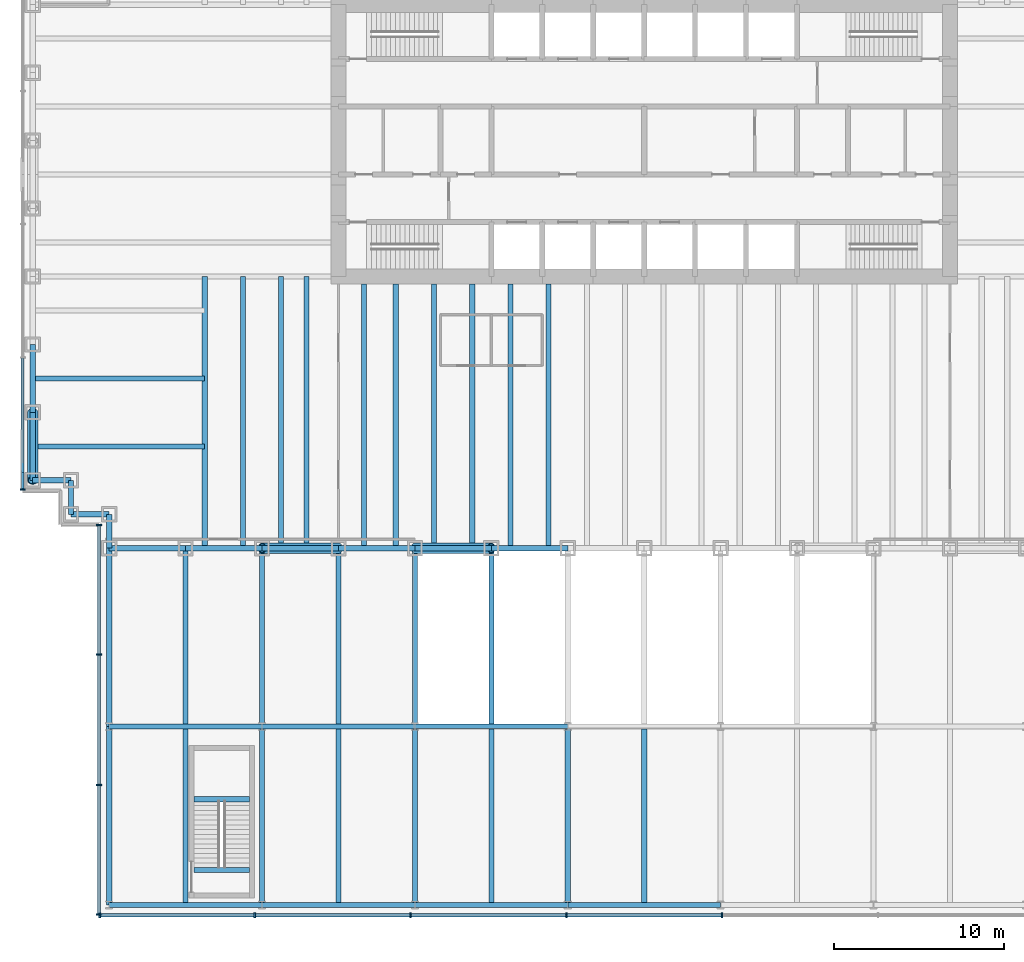
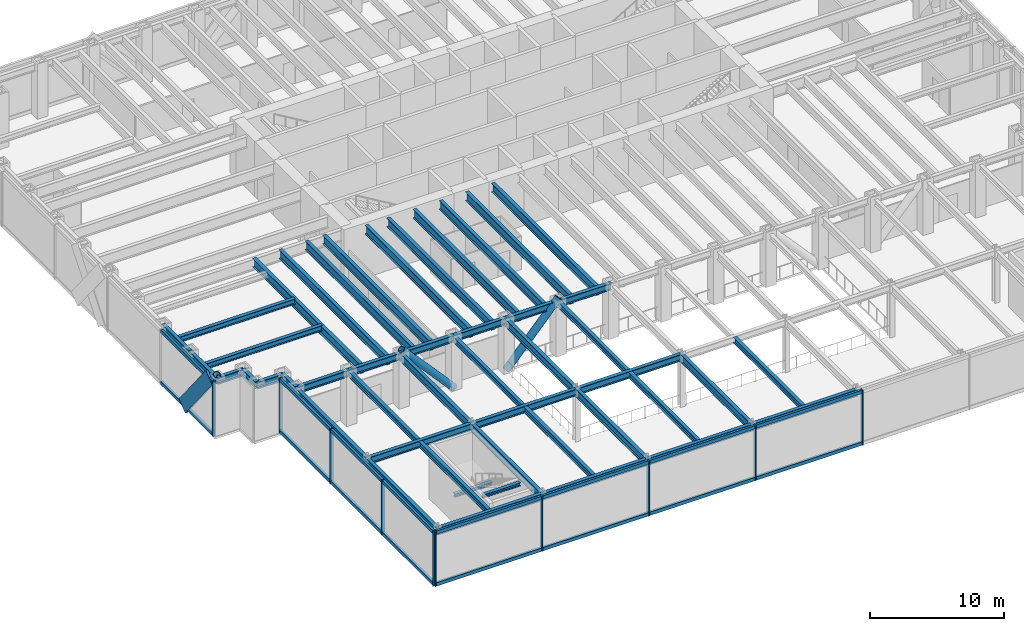
# One storey, part 3 of 17: 47 beams, 30 members, 3 elements without a shape of their own.
"""IFC4 building model written with IfcOpenShell, lengths in metres."""

import ifcopenshell
import ifcopenshell.guid

model = None  # the IFC model being written
_history = None  # IfcOwnerHistory: only IFC2X3 demands one
_inside = {}  # id of a spatial element -> (the spatial element, [elements in it])
_under = {}  # id of a project, library or spatial element -> (it, [spatial elements below it])
_declared = {}  # id of a project -> (the project, [libraries it declares])
_typed = {}  # id of a type object -> (the type object, [elements of that type])
_made_of = {}  # id of a material, layer set ... -> (it, [elements and type objects made of it])


def new_model(schema):
    """Start an empty IFC model of exactly this schema.

    Asked for "IFC4X3", IfcOpenShell would pick the latest addendum, in which some entities
    have other attributes; the version numbers below select the first issue.
    IFC2X3 requires an IfcOwnerHistory on every rooted entity: one is made here for all.
    """
    global model, _history
    if schema == "IFC4X3":
        model = ifcopenshell.file(schema_version=(4, 3, 0, 0))
    else:
        model = ifcopenshell.file(schema=schema)
    _inside.clear()
    _under.clear()
    _declared.clear()
    _typed.clear()
    _made_of.clear()
    _history = None
    if model.schema == "IFC2X3":
        org = make("IfcOrganization", Name="unknown")
        user = make(
            "IfcPersonAndOrganization",
            ThePerson=make("IfcPerson", FamilyName="unknown"),
            TheOrganization=org,
        )
        app = make(
            "IfcApplication",
            ApplicationDeveloper=org,
            Version="unknown",
            ApplicationFullName="unknown",
            ApplicationIdentifier="unknown",
        )
        _history = make(
            "IfcOwnerHistory",
            OwningUser=user,
            OwningApplication=app,
            ChangeAction="ADDED",
            CreationDate=0,
        )
    return model


def make(cls, **values):
    """One entity of the class cls with the attributes given. An attribute that is None is left unset."""
    return model.create_entity(
        cls, **{name: value for name, value in values.items() if value is not None}
    )


def rooted(cls, **values):
    """An entity with a GlobalId (a new one), such as an element, a storey or a relation."""
    return make(cls, GlobalId=ifcopenshell.guid.new(), OwnerHistory=_history, **values)


def si_unit(unit_type, name, prefix=None):
    """IfcSIUnit, for example si_unit("LENGTHUNIT", "METRE", prefix="MILLI")."""
    return make("IfcSIUnit", UnitType=unit_type, Prefix=prefix, Name=name)


def assignment(units):
    """IfcUnitAssignment: the units of a project."""
    return None if units is None else make("IfcUnitAssignment", Units=units)


def point(xyz):
    """IfcCartesianPoint."""
    return None if xyz is None else make("IfcCartesianPoint", Coordinates=xyz)


def direction(xyz):
    """IfcDirection."""
    return None if xyz is None else make("IfcDirection", DirectionRatios=xyz)


def frame(location, z_axis=None, x_axis=None):
    """IfcAxis2Placement3D, a coordinate frame: its origin and axes. An axis left out is left unset."""
    return make(
        "IfcAxis2Placement3D",
        Location=point(location),
        Axis=direction(z_axis),
        RefDirection=direction(x_axis),
    )


def frame_2d(location, x_axis=None):
    """IfcAxis2Placement2D, a coordinate frame in the plane: its origin and x axis."""
    return make(
        "IfcAxis2Placement2D", Location=point(location), RefDirection=direction(x_axis)
    )


def origin():
    """The frame at (0, 0, 0) with its axes left unset."""
    return frame((0.0, 0.0, 0.0))


def origin_2d():
    """The frame at (0, 0) in the plane with its x axis left unset."""
    return frame_2d((0.0, 0.0))


def place(relative_to, where):
    """IfcLocalPlacement: puts the frame where relative to a parent placement (None: the world)."""
    return make(
        "IfcLocalPlacement", PlacementRelTo=relative_to, RelativePlacement=where
    )


def context(
    kind, dimensions, precision=None, world=None, true_north=None, identifier=None
):
    """IfcGeometricRepresentationContext, for example the 3D "Model" context."""
    return make(
        "IfcGeometricRepresentationContext",
        ContextIdentifier=identifier,
        ContextType=kind,
        CoordinateSpaceDimension=dimensions,
        Precision=precision,
        WorldCoordinateSystem=world,
        TrueNorth=true_north,
    )


def subcontext(parent, identifier, kind, view, scale=None):
    """IfcGeometricRepresentationSubContext, for example "Body" below "Model"."""
    return make(
        "IfcGeometricRepresentationSubContext",
        ContextIdentifier=identifier,
        ContextType=kind,
        ParentContext=parent,
        TargetScale=scale,
        TargetView=view,
    )


def project(units=None, contexts=None):
    """IfcProject with its units and contexts."""
    return rooted(
        "IfcProject",
        Name="project",
        RepresentationContexts=contexts,
        UnitsInContext=assignment(units),
    )


def spatial(cls, under=None, at=None, **own):
    """A site, building, storey or space (cls), placed at a placement, below another one or the project."""
    s = rooted(cls, ObjectPlacement=at, **own)
    if under is not None:
        _under.setdefault(under.id(), (under, []))[1].append(s)
    return s


def profile(cls, at=None, kind="AREA", **sizes):
    """A parametric profile (cls). Its sizes go by their IFC names, for example OverallWidth=200.0."""
    return make(cls, ProfileType=kind, Position=at, **sizes)


def rectangle(**sizes):
    """IfcRectangleProfileDef."""
    return profile("IfcRectangleProfileDef", **sizes)


def hollow_circle(**sizes):
    """IfcCircleHollowProfileDef."""
    return profile("IfcCircleHollowProfileDef", **sizes)


def i_section(**sizes):
    """IfcIShapeProfileDef."""
    return profile("IfcIShapeProfileDef", **sizes)


def extrude(swept, where, along, depth):
    """IfcExtrudedAreaSolid: the profile swept, set in the frame where, extruded along a direction by depth."""
    return make(
        "IfcExtrudedAreaSolid",
        SweptArea=swept,
        Position=where,
        ExtrudedDirection=direction(along),
        Depth=depth,
    )


def shape(context_of_items, identifier, shape_type, items):
    """IfcShapeRepresentation: the items that make up one representation, for example the "Body"."""
    return make(
        "IfcShapeRepresentation",
        ContextOfItems=context_of_items,
        RepresentationIdentifier=identifier,
        RepresentationType=shape_type,
        Items=items,
    )


def material(Name=None, Category=None):
    """IfcMaterial."""
    return make("IfcMaterial", Name=Name, Category=Category)


def material_profile(
    of_material, cross_section, Name=None, Category=None, Priority=None
):
    """IfcMaterialProfile: a cross section and its material."""
    return make(
        "IfcMaterialProfile",
        Name=Name,
        Material=of_material,
        Profile=cross_section,
        Priority=Priority,
        Category=Category,
    )


def profile_set(profiles, Name=None, composite=None):
    """IfcMaterialProfileSet."""
    return make(
        "IfcMaterialProfileSet",
        Name=Name,
        MaterialProfiles=profiles,
        CompositeProfile=composite,
    )


def made_of(thing, what):
    """Note that an element or type object is made of a material, layer set ...; save() writes the relation."""
    if what is not None:
        _made_of.setdefault(what.id(), (what, []))[1].append(thing)
    return thing


def type_object(cls, material=None, **own):
    """A type object (cls), such as IfcWallType, which elements share."""
    return made_of(rooted(cls, **own), material)


def element(
    cls,
    number,
    at=None,
    inside=None,
    cuts=None,
    type_object=None,
    material=None,
    context=None,
    identifier="Body",
    shape_type=None,
    held_by="IfcProductDefinitionShape",
    body=None,
    shapes=None,
    **own,
):
    """One element of the class cls, such as IfcWall. Its Tag is "e" and its number.

    at: its placement. inside: the storey or other place that contains it. cuts: it is an
    opening in that element (IfcRelVoidsElement). A single representation is given by context,
    identifier, shape_type and body (its items); several are given by shapes. held_by: the class
    of the entity that holds the representations. save() writes the other relations.
    """
    e = rooted(cls, Tag="e%d" % number, ObjectPlacement=at, **own)
    if body is not None:
        shapes = [shape(context, identifier, shape_type, body)]
    if shapes is not None:
        e.Representation = make(held_by, Representations=shapes)
    if inside is not None:
        _inside.setdefault(inside.id(), (inside, []))[1].append(e)
    if cuts is not None:
        rooted(
            "IfcRelVoidsElement", RelatingBuildingElement=cuts, RelatedOpeningElement=e
        )
    if type_object is not None:
        _typed.setdefault(type_object.id(), (type_object, []))[1].append(e)
    return made_of(e, material)


def aggregate(whole, parts):
    """IfcRelAggregates: a whole, such as a stair, and the parts it consists of."""
    return rooted("IfcRelAggregates", RelatingObject=whole, RelatedObjects=parts)


def save(model, path):
    """Write the relations noted so far, then the file.

    IfcRelAggregates (storeys below a building ...), IfcRelContainedInSpatialStructure (elements
    in a storey), IfcRelDefinesByType, IfcRelAssociatesMaterial and IfcRelDeclares: one each for
    every whole, place, type object, material and project.
    """
    for whole, parts in _under.values():
        aggregate(whole, parts)
    for where, things in _inside.values():
        rooted(
            "IfcRelContainedInSpatialStructure",
            RelatedElements=things,
            RelatingStructure=where,
        )
    for kind, things in _typed.values():
        rooted("IfcRelDefinesByType", RelatedObjects=things, RelatingType=kind)
    for what, things in _made_of.values():
        rooted("IfcRelAssociatesMaterial", RelatedObjects=things, RelatingMaterial=what)
    for by, libraries in _declared.values():
        rooted("IfcRelDeclares", RelatingContext=by, RelatedDefinitions=libraries)
    model.write(path)


model = new_model("IFC4")

# Units and contexts
model_context = context("Model", 3, precision=1e-05, world=origin(), true_north=direction((0.0, 1.0)))
body_context = subcontext(model_context, "Body", "Model", "MODEL_VIEW")
ifc_project = project(units=[si_unit("LENGTHUNIT", "METRE"), si_unit("AREAUNIT", "SQUARE_METRE"), si_unit("VOLUMEUNIT", "CUBIC_METRE"), si_unit("PLANEANGLEUNIT", "RADIAN"), si_unit("MASSUNIT", "GRAM", prefix="KILO")], contexts=[model_context])

# Site, building, storey
site_placement = place(None, origin())
site = spatial("IfcSite", under=ifc_project, at=site_placement, CompositionType="ELEMENT")
building_placement = place(site_placement, origin())
building = spatial("IfcBuilding", under=site, at=building_placement, Name="Rheinbord Bourse Tower", CompositionType="ELEMENT")
storey_placement = place(building_placement, frame((0.0, 0.0, 18.0)))
storey = spatial("IfcBuildingStorey", under=building, at=storey_placement, Name="L03", CompositionType="ELEMENT", Elevation=18.0)

# Curtain wall, member
ifc_material_1 = material(Name="Dark glass and black aluminium", Category="aluminium")
curtain_wall_type = type_object("IfcCurtainWallType", Name="CW4 DARK GLASS CURTAIN WALL", PredefinedType="USERDEFINED", material=ifc_material_1)
curtain_wall_1_placement = place(storey_placement, origin())
curtain_wall_1 = element("IfcCurtainWall", 1, at=curtain_wall_1_placement, inside=storey, type_object=curtain_wall_type, Name="Curtain wall CW4 W L03", ObjectType="UNITISED CURTAIN WALL", PredefinedType="USERDEFINED")
ifc_material_2 = material(Name="Black anodised aluminium", Category="aluminium")
ifc_material_profile_1 = material_profile(ifc_material_2, rectangle(XDim=0.199951171875, YDim=1.2099609375, at=origin_2d()), Name="CW4 DIAGONAL MULLION 1210x200")
ifc_profile_set_1 = profile_set([ifc_material_profile_1], Name="Black anodised aluminium")
member_type_1 = type_object("IfcMemberType", Name="CW4 BLACK DIAGONAL MULLION", PredefinedType="USERDEFINED", material=ifc_profile_set_1)
member_1_placement = place(storey_placement, frame((-0.60009765625, 8.0, 0.0), z_axis=(0.0, -0.624695047554, 0.780868809443), x_axis=(1.0, 0.0, 0.0)))
member_1 = element("IfcMember", 2, at=member_1_placement, type_object=member_type_1, Name="CW4 diagonal mullion d", ObjectType="DIAGONAL MULLION", PredefinedType="USERDEFINED", context=body_context, shape_type="SweptSolid", body=[
    extrude(rectangle(XDim=0.199951171875, YDim=1.2099609375, at=origin_2d()), origin(), (0.0, 0.0, 1.0), 6.403076171875),
])

# Curtain wall, members
curtain_wall_2_placement = place(storey_placement, origin())
curtain_wall_2 = element("IfcCurtainWall", 3, at=curtain_wall_2_placement, inside=storey, type_object=curtain_wall_type, Name="Curtain wall CW4 S L03", ObjectType="UNITISED CURTAIN WALL", PredefinedType="USERDEFINED")
ifc_material_3 = material(Name="Black anodised aluminium", Category="aluminium")
ifc_material_profile_2 = material_profile(ifc_material_3, rectangle(XDim=0.300048828125, YDim=0.090087890625, at=origin_2d()), Name="CW4 MULLION 90x300")
ifc_profile_set_2 = profile_set([ifc_material_profile_2], Name="Black anodised aluminium")
member_type_2 = type_object("IfcMemberType", Name="CW4 BLACK MULLION", PredefinedType="MULLION", material=ifc_profile_set_2)
member_2_placement = place(storey_placement, frame((3.945068359375, -21.60009765625, 0.0), z_axis=(0.0, 0.0, 1.0), x_axis=(0.0, 1.0, 0.0)))
member_2 = element("IfcMember", 4, at=member_2_placement, type_object=member_type_2, Name="CW4 mullion 1", PredefinedType="MULLION", context=body_context, shape_type="SweptSolid", body=[
    extrude(rectangle(XDim=0.300048828125, YDim=0.090087890625, at=origin_2d()), origin(), (0.0, 0.0, 1.0), 5.0),
])
member_3_placement = place(storey_placement, frame((13.071533203125, -21.60009765625, 0.0), z_axis=(0.0, 0.0, 1.0), x_axis=(0.0, 1.0, 0.0)))
member_3 = element("IfcMember", 5, at=member_3_placement, type_object=member_type_2, Name="CW4 mullion 2", PredefinedType="MULLION", context=body_context, shape_type="SweptSolid", body=[
    extrude(rectangle(XDim=0.300048828125, YDim=0.090087890625, at=origin_2d()), origin(), (0.0, 0.0, 1.0), 5.0),
])
member_4_placement = place(storey_placement, frame((22.242919921875, -21.60009765625, 0.0), z_axis=(0.0, 0.0, 1.0), x_axis=(0.0, 1.0, 0.0)))
member_4 = element("IfcMember", 6, at=member_4_placement, type_object=member_type_2, Name="CW4 mullion 3", PredefinedType="MULLION", context=body_context, shape_type="SweptSolid", body=[
    extrude(rectangle(XDim=0.300048828125, YDim=0.090087890625, at=origin_2d()), origin(), (0.0, 0.0, 1.0), 5.0),
])
member_5_placement = place(storey_placement, frame((31.414306640625, -21.60009765625, 0.0), z_axis=(0.0, 0.0, 1.0), x_axis=(0.0, 1.0, 0.0)))
member_5 = element("IfcMember", 7, at=member_5_placement, type_object=member_type_2, Name="CW4 mullion 4", PredefinedType="MULLION", context=body_context, shape_type="SweptSolid", body=[
    extrude(rectangle(XDim=0.300048828125, YDim=0.090087890625, at=origin_2d()), origin(), (0.0, 0.0, 1.0), 5.0),
])
member_6_placement = place(storey_placement, frame((40.585693359375, -21.60009765625, 0.0), z_axis=(0.0, 0.0, 1.0), x_axis=(0.0, 1.0, 0.0)))
member_6 = element("IfcMember", 8, at=member_6_placement, type_object=member_type_2, Name="CW4 mullion 5", PredefinedType="MULLION", context=body_context, shape_type="SweptSolid", body=[
    extrude(rectangle(XDim=0.300048828125, YDim=0.090087890625, at=origin_2d()), origin(), (0.0, 0.0, 1.0), 5.0),
])

# Member
member_7_placement = place(storey_placement, frame((-0.60009765625, 3.445068359375, 0.0), z_axis=(0.0, 0.0, 1.0), x_axis=(1.0, 0.0, 0.0)))
member_7 = element("IfcMember", 9, at=member_7_placement, type_object=member_type_2, Name="CW4 mullion 6", PredefinedType="MULLION", context=body_context, shape_type="SweptSolid", body=[
    extrude(rectangle(XDim=0.300048828125, YDim=0.090087890625, at=origin_2d()), origin(), (0.0, 0.0, 1.0), 5.0),
])

# Curtain wall, members
curtain_wall_3_placement = place(storey_placement, origin())
curtain_wall_3 = element("IfcCurtainWall", 10, at=curtain_wall_3_placement, inside=storey, type_object=curtain_wall_type, Name="Curtain wall CW4 W L03", ObjectType="UNITISED CURTAIN WALL", PredefinedType="USERDEFINED")
member_8_placement = place(storey_placement, frame((3.89990234375, 1.35498046875, 0.0), z_axis=(0.0, 0.0, 1.0), x_axis=(1.0, 0.0, 0.0)))
member_8 = element("IfcMember", 11, at=member_8_placement, type_object=member_type_2, Name="CW4 mullion 1", PredefinedType="MULLION", context=body_context, shape_type="SweptSolid", body=[
    extrude(rectangle(XDim=0.300048828125, YDim=0.090087890625, at=origin_2d()), origin(), (0.0, 0.0, 1.0), 5.0),
])
member_9_placement = place(storey_placement, frame((3.89990234375, -6.2666015625, 0.0), z_axis=(0.0, 0.0, 1.0), x_axis=(1.0, 0.0, 0.0)))
member_9 = element("IfcMember", 12, at=member_9_placement, type_object=member_type_2, Name="CW4 mullion 2", PredefinedType="MULLION", context=body_context, shape_type="SweptSolid", body=[
    extrude(rectangle(XDim=0.300048828125, YDim=0.090087890625, at=origin_2d()), origin(), (0.0, 0.0, 1.0), 5.0),
])
member_10_placement = place(storey_placement, frame((3.89990234375, -13.933349609375, 0.0), z_axis=(0.0, 0.0, 1.0), x_axis=(1.0, 0.0, 0.0)))
member_10 = element("IfcMember", 13, at=member_10_placement, type_object=member_type_2, Name="CW4 mullion 3", PredefinedType="MULLION", context=body_context, shape_type="SweptSolid", body=[
    extrude(rectangle(XDim=0.300048828125, YDim=0.090087890625, at=origin_2d()), origin(), (0.0, 0.0, 1.0), 5.0),
])
member_11_placement = place(storey_placement, frame((3.89990234375, -21.554931640625, 0.0), z_axis=(0.0, 0.0, 1.0), x_axis=(1.0, 0.0, 0.0)))
member_11 = element("IfcMember", 14, at=member_11_placement, type_object=member_type_2, Name="CW4 mullion 4", PredefinedType="MULLION", context=body_context, shape_type="SweptSolid", body=[
    extrude(rectangle(XDim=0.300048828125, YDim=0.090087890625, at=origin_2d()), origin(), (0.0, 0.0, 1.0), 5.0),
])

# Member
ifc_material_4 = material(Name="Black anodised aluminium", Category="aluminium")
ifc_material_profile_3 = material_profile(ifc_material_4, rectangle(XDim=0.199951171875, YDim=0.300048828125, at=origin_2d()), Name="CW4 TRANSOM 300x200")
ifc_profile_set_3 = profile_set([ifc_material_profile_3], Name="Black anodised aluminium")
member_type_3 = type_object("IfcMemberType", Name="CW4 BLACK TRANSOM", PredefinedType="USERDEFINED", material=ifc_profile_set_3)
member_12_placement = place(storey_placement, frame((3.989990234375, -21.60009765625, 0.14990234375), z_axis=(1.0, 0.0, 0.0), x_axis=(0.0, 1.0, 0.0)))
member_12 = element("IfcMember", 15, at=member_12_placement, type_object=member_type_3, Name="CW4 transom 1.1", ObjectType="TRANSOM", PredefinedType="USERDEFINED", context=body_context, shape_type="SweptSolid", body=[
    extrude(rectangle(XDim=0.199951171875, YDim=0.300048828125, at=origin_2d()), origin(), (0.0, 0.0, 1.0), 9.036376953125),
])

member_13_placement = place(storey_placement, frame((3.989990234375, -21.60009765625, 4.85009765625), z_axis=(1.0, 0.0, 0.0), x_axis=(0.0, 1.0, 0.0)))
member_13 = element("IfcMember", 16, at=member_13_placement, type_object=member_type_3, Name="CW4 transom 1.2", ObjectType="TRANSOM", PredefinedType="USERDEFINED", context=body_context, shape_type="SweptSolid", body=[
    extrude(rectangle(XDim=0.199951171875, YDim=0.300048828125, at=origin_2d()), origin(), (0.0, 0.0, 1.0), 9.036376953125),
])

member_14_placement = place(storey_placement, frame((13.116455078125, -21.60009765625, 0.14990234375), z_axis=(1.0, 0.0, 0.0), x_axis=(0.0, 1.0, 0.0)))
member_14 = element("IfcMember", 17, at=member_14_placement, type_object=member_type_3, Name="CW4 transom 2.1", ObjectType="TRANSOM", PredefinedType="USERDEFINED", context=body_context, shape_type="SweptSolid", body=[
    extrude(rectangle(XDim=0.199951171875, YDim=0.300048828125, at=origin_2d()), origin(), (0.0, 0.0, 1.0), 9.081298828125),
])

member_15_placement = place(storey_placement, frame((13.116455078125, -21.60009765625, 4.85009765625), z_axis=(1.0, 0.0, 0.0), x_axis=(0.0, 1.0, 0.0)))
member_15 = element("IfcMember", 18, at=member_15_placement, type_object=member_type_3, Name="CW4 transom 2.2", ObjectType="TRANSOM", PredefinedType="USERDEFINED", context=body_context, shape_type="SweptSolid", body=[
    extrude(rectangle(XDim=0.199951171875, YDim=0.300048828125, at=origin_2d()), origin(), (0.0, 0.0, 1.0), 9.081298828125),
])

member_16_placement = place(storey_placement, frame((22.287841796875, -21.60009765625, 0.14990234375), z_axis=(1.0, 0.0, 0.0), x_axis=(0.0, 1.0, 0.0)))
member_16 = element("IfcMember", 19, at=member_16_placement, type_object=member_type_3, Name="CW4 transom 3.1", ObjectType="TRANSOM", PredefinedType="USERDEFINED", context=body_context, shape_type="SweptSolid", body=[
    extrude(rectangle(XDim=0.199951171875, YDim=0.300048828125, at=origin_2d()), origin(), (0.0, 0.0, 1.0), 9.08154296875),
])

member_17_placement = place(storey_placement, frame((22.287841796875, -21.60009765625, 4.85009765625), z_axis=(1.0, 0.0, 0.0), x_axis=(0.0, 1.0, 0.0)))
member_17 = element("IfcMember", 20, at=member_17_placement, type_object=member_type_3, Name="CW4 transom 3.2", ObjectType="TRANSOM", PredefinedType="USERDEFINED", context=body_context, shape_type="SweptSolid", body=[
    extrude(rectangle(XDim=0.199951171875, YDim=0.300048828125, at=origin_2d()), origin(), (0.0, 0.0, 1.0), 9.08154296875),
])

member_18_placement = place(storey_placement, frame((31.459228515625, -21.60009765625, 0.14990234375), z_axis=(1.0, 0.0, 0.0), x_axis=(0.0, 1.0, 0.0)))
member_18 = element("IfcMember", 21, at=member_18_placement, type_object=member_type_3, Name="CW4 transom 4.1", ObjectType="TRANSOM", PredefinedType="USERDEFINED", context=body_context, shape_type="SweptSolid", body=[
    extrude(rectangle(XDim=0.199951171875, YDim=0.300048828125, at=origin_2d()), origin(), (0.0, 0.0, 1.0), 9.08154296875),
])

member_19_placement = place(storey_placement, frame((31.459228515625, -21.60009765625, 4.85009765625), z_axis=(1.0, 0.0, 0.0), x_axis=(0.0, 1.0, 0.0)))
member_19 = element("IfcMember", 22, at=member_19_placement, type_object=member_type_3, Name="CW4 transom 4.2", ObjectType="TRANSOM", PredefinedType="USERDEFINED", context=body_context, shape_type="SweptSolid", body=[
    extrude(rectangle(XDim=0.199951171875, YDim=0.300048828125, at=origin_2d()), origin(), (0.0, 0.0, 1.0), 9.08154296875),
])

aggregate(curtain_wall_2, [member_2, member_3, member_4, member_5, member_6, member_12, member_13, member_14, member_15, member_16, member_17, member_18, member_19])

member_20_placement = place(storey_placement, frame((-0.60009765625, 11.195068359375, 0.14990234375), z_axis=(0.0, -1.0, 0.0), x_axis=(1.0, 0.0, 0.0)))
member_20 = element("IfcMember", 23, at=member_20_placement, type_object=member_type_3, Name="CW4 transom 5.1", ObjectType="TRANSOM", PredefinedType="USERDEFINED", context=body_context, shape_type="SweptSolid", body=[
    extrude(rectangle(XDim=0.199951171875, YDim=0.300048828125, at=origin_2d()), origin(), (0.0, 0.0, 1.0), 7.705078125),
])

member_21_placement = place(storey_placement, frame((-0.60009765625, 11.195068359375, 4.85009765625), z_axis=(0.0, -1.0, 0.0), x_axis=(1.0, 0.0, 0.0)))
member_21 = element("IfcMember", 24, at=member_21_placement, type_object=member_type_3, Name="CW4 transom 5.2", ObjectType="TRANSOM", PredefinedType="USERDEFINED", context=body_context, shape_type="SweptSolid", body=[
    extrude(rectangle(XDim=0.199951171875, YDim=0.300048828125, at=origin_2d()), origin(), (0.0, 0.0, 1.0), 7.705078125),
])

aggregate(curtain_wall_1, [member_7, member_20, member_21, member_1])

member_22_placement = place(storey_placement, frame((3.89990234375, 1.31005859375, 0.14990234375), z_axis=(0.0, -1.0, 0.0), x_axis=(1.0, 0.0, 0.0)))
member_22 = element("IfcMember", 25, at=member_22_placement, type_object=member_type_3, Name="CW4 transom 1.1", ObjectType="TRANSOM", PredefinedType="USERDEFINED", context=body_context, shape_type="SweptSolid", body=[
    extrude(rectangle(XDim=0.199951171875, YDim=0.300048828125, at=origin_2d()), origin(), (0.0, 0.0, 1.0), 7.53173828125),
])

member_23_placement = place(storey_placement, frame((3.89990234375, 1.31005859375, 4.85009765625), z_axis=(0.0, -1.0, 0.0), x_axis=(1.0, 0.0, 0.0)))
member_23 = element("IfcMember", 26, at=member_23_placement, type_object=member_type_3, Name="CW4 transom 1.2", ObjectType="TRANSOM", PredefinedType="USERDEFINED", context=body_context, shape_type="SweptSolid", body=[
    extrude(rectangle(XDim=0.199951171875, YDim=0.300048828125, at=origin_2d()), origin(), (0.0, 0.0, 1.0), 7.53173828125),
])

member_24_placement = place(storey_placement, frame((3.89990234375, -6.311767578125, 0.14990234375), z_axis=(0.0, -1.0, 0.0), x_axis=(1.0, 0.0, 0.0)))
member_24 = element("IfcMember", 27, at=member_24_placement, type_object=member_type_3, Name="CW4 transom 2.1", ObjectType="TRANSOM", PredefinedType="USERDEFINED", context=body_context, shape_type="SweptSolid", body=[
    extrude(rectangle(XDim=0.199951171875, YDim=0.300048828125, at=origin_2d()), origin(), (0.0, 0.0, 1.0), 7.57666015625),
])

member_25_placement = place(storey_placement, frame((3.89990234375, -6.311767578125, 4.85009765625), z_axis=(0.0, -1.0, 0.0), x_axis=(1.0, 0.0, 0.0)))
member_25 = element("IfcMember", 28, at=member_25_placement, type_object=member_type_3, Name="CW4 transom 2.2", ObjectType="TRANSOM", PredefinedType="USERDEFINED", context=body_context, shape_type="SweptSolid", body=[
    extrude(rectangle(XDim=0.199951171875, YDim=0.300048828125, at=origin_2d()), origin(), (0.0, 0.0, 1.0), 7.57666015625),
])

member_26_placement = place(storey_placement, frame((3.89990234375, -13.978271484375, 0.14990234375), z_axis=(0.0, -1.0, 0.0), x_axis=(1.0, 0.0, 0.0)))
member_26 = element("IfcMember", 29, at=member_26_placement, type_object=member_type_3, Name="CW4 transom 3.1", ObjectType="TRANSOM", PredefinedType="USERDEFINED", context=body_context, shape_type="SweptSolid", body=[
    extrude(rectangle(XDim=0.199951171875, YDim=0.300048828125, at=origin_2d()), origin(), (0.0, 0.0, 1.0), 7.53173828125),
])

member_27_placement = place(storey_placement, frame((3.89990234375, -13.978271484375, 4.85009765625), z_axis=(0.0, -1.0, 0.0), x_axis=(1.0, 0.0, 0.0)))
member_27 = element("IfcMember", 30, at=member_27_placement, type_object=member_type_3, Name="CW4 transom 3.2", ObjectType="TRANSOM", PredefinedType="USERDEFINED", context=body_context, shape_type="SweptSolid", body=[
    extrude(rectangle(XDim=0.199951171875, YDim=0.300048828125, at=origin_2d()), origin(), (0.0, 0.0, 1.0), 7.53173828125),
])

aggregate(curtain_wall_3, [member_8, member_9, member_10, member_11, member_22, member_23, member_24, member_25, member_26, member_27])

# Beams
ifc_material_5 = material(Name="Steel S460", Category="steel")
ifc_material_profile_4 = material_profile(ifc_material_5, i_section(OverallWidth=0.300048828125, OverallDepth=0.800048828125, WebThickness=0.017578125, FlangeThickness=0.032958984375, at=origin_2d()), Name="HEB 800")
ifc_profile_set_4 = profile_set([ifc_material_profile_4], Name="Steel S460")
beam_type_1 = type_object("IfcBeamType", Name="FLOOR BEAM HEB 800", PredefinedType="BEAM", material=ifc_profile_set_4)
for number, where, z_axis, x_axis, name in (
    (31, (10.125, 0.0, 4.419921875), (0.0, 1.0, 0.0), (-1.0, 0.0, 0.0), "Floor beam S-9a L04"),
    (32, (12.375, 0.0, 4.419921875), (0.0, 1.0, 0.0), (-1.0, 0.0, 0.0), "Floor beam S-9b L04"),
    (33, (14.625, 0.0, 4.419921875), (0.0, 1.0, 0.0), (-1.0, 0.0, 0.0), "Floor beam S-13.5a L04"),
    (34, (16.125, 0.0, 4.419921875), (0.0, 1.0, 0.0), (-1.0, 0.0, 0.0), "Floor beam S-13.5b L04"),
):
    element("IfcBeam", number, at=place(storey_placement, frame(where, z_axis=z_axis, x_axis=x_axis)), inside=storey, type_object=beam_type_1, Name=name, PredefinedType="BEAM", context=body_context, shape_type="SweptSolid", body=[
        extrude(i_section(OverallWidth=0.300048828125, OverallDepth=0.800048828125, WebThickness=0.017578125, FlangeThickness=0.032958984375, at=origin_2d()), origin(), (0.0, 0.0, 1.0), 16.0),
    ])
for number, where, z_axis, x_axis, name in (
    (35, (19.5, 0.0, 4.419921875), (0.0, 1.0, 0.0), (-1.0, 0.0, 0.0), "Floor beam S-18a L04"),
    (36, (21.375, 0.0, 4.419921875), (0.0, 1.0, 0.0), (-1.0, 0.0, 0.0), "Floor beam S-18b L04"),
    (37, (23.625, 0.0, 4.419921875), (0.0, 1.0, 0.0), (-1.0, 0.0, 0.0), "Floor beam S-22.5a L04"),
    (38, (25.875, 0.0, 4.419921875), (0.0, 1.0, 0.0), (-1.0, 0.0, 0.0), "Floor beam S-22.5b L04"),
    (39, (28.125, 0.0, 4.419921875), (0.0, 1.0, 0.0), (-1.0, 0.0, 0.0), "Floor beam S-27a L04"),
    (40, (30.375, 0.0, 4.419921875), (0.0, 1.0, 0.0), (-1.0, 0.0, 0.0), "Floor beam S-27b L04"),
):
    element("IfcBeam", number, at=place(storey_placement, frame(where, z_axis=z_axis, x_axis=x_axis)), inside=storey, type_object=beam_type_1, Name=name, PredefinedType="BEAM", context=body_context, shape_type="SweptSolid", body=[
        extrude(i_section(OverallWidth=0.300048828125, OverallDepth=0.800048828125, WebThickness=0.017578125, FlangeThickness=0.032958984375, at=origin_2d()), origin(), (0.0, 0.0, 1.0), 15.550048828125),
    ])
ifc_material_6 = material(Name="Steel S460", Category="steel")
ifc_material_profile_5 = material_profile(ifc_material_6, i_section(OverallWidth=0.300048828125, OverallDepth=0.300048828125, WebThickness=0.010986328125, FlangeThickness=0.01904296875, at=origin_2d()), Name="HEB 300")
ifc_profile_set_5 = profile_set([ifc_material_profile_5], Name="Steel S460")
beam_type_2 = type_object("IfcBeamType", Name="LANDING TRIMMER HEB 300", PredefinedType="BEAM", material=ifc_profile_set_5)
for number, where, z_axis, x_axis, name in (
    (41, (9.5, -14.780029296875, 2.14990234375), (1.0, 0.0, 0.0), (0.0, 1.0, 0.0), "Landing trimmer ST5 L03"),
    (42, (9.5, -18.949951171875, 4.60009765625), (1.0, 0.0, 0.0), (0.0, 1.0, 0.0), "Well trimmer ST5 under L04"),
):
    element("IfcBeam", number, at=place(storey_placement, frame(where, z_axis=z_axis, x_axis=x_axis)), inside=storey, type_object=beam_type_2, Name=name, PredefinedType="BEAM", context=body_context, shape_type="SweptSolid", body=[
        extrude(i_section(OverallWidth=0.300048828125, OverallDepth=0.300048828125, WebThickness=0.010986328125, FlangeThickness=0.01904296875, at=origin_2d()), origin(), (0.0, 0.0, 1.0), 3.25),
    ])

# Members
ifc_material_7 = material(Name="Steel S460", Category="steel")
ifc_material_profile_6 = material_profile(ifc_material_7, hollow_circle(Radius=0.304931640625, WallThickness=0.050048828125, at=origin_2d()), Name="CHS 610x50")
ifc_profile_set_6 = profile_set([ifc_material_profile_6], Name="Steel S460")
member_type_4 = type_object("IfcMemberType", Name="MEGABRACE CHS 610x50", PredefinedType="BRACE", material=ifc_profile_set_6)
for number, where, z_axis, x_axis, name in (
    (43, (22.5, 0.0, 0.0), (0.668964731622, 0.0, 0.743294146247), (0.0, 1.0, 0.0), "Megabrace S face line a L03"),
    (44, (18.0, 0.0, 0.0), (-0.668964731622, 0.0, 0.743294146247), (0.0, -1.0, 0.0), "Megabrace S face line d L03"),
):
    element("IfcMember", number, at=place(storey_placement, frame(where, z_axis=z_axis, x_axis=x_axis)), inside=storey, type_object=member_type_4, Name=name, PredefinedType="BRACE", context=body_context, shape_type="SweptSolid", body=[
        extrude(hollow_circle(Radius=0.304931640625, WallThickness=0.050048828125, at=origin_2d()), origin(), (0.0, 0.0, 1.0), 6.726806640625),
    ])
member_28_placement = place(storey_placement, frame((0.0, 8.0, 0.0), z_axis=(0.0, -0.624695047554, 0.780868809443), x_axis=(1.0, 0.0, 0.0)))
element("IfcMember", 45, at=member_28_placement, inside=storey, type_object=member_type_4, Name="Megabrace W face line d L03", PredefinedType="BRACE", context=body_context, shape_type="SweptSolid", body=[
    extrude(hollow_circle(Radius=0.304931640625, WallThickness=0.050048828125, at=origin_2d()), origin(), (0.0, 0.0, 1.0), 6.403076171875),
])

# Beams
ifc_material_8 = material(Name="Steel S460", Category="steel")
ifc_material_profile_7 = material_profile(ifc_material_8, i_section(OverallWidth=0.304931640625, OverallDepth=0.6201171875, WebThickness=0.02099609375, FlangeThickness=0.0400390625, at=origin_2d()), Name="HEM 600")
ifc_profile_set_7 = profile_set([ifc_material_profile_7], Name="Steel S460")
beam_type_3 = type_object("IfcBeamType", Name="PODIUM EDGE BEAM HEM 600", PredefinedType="BEAM", material=ifc_profile_set_7)
for number, where, z_axis, x_axis, name in (
    (46, (4.5, -21.0, 4.43994140625), (1.0, 0.0, 0.0), (0.0, 1.0, 0.0), "Podium edge beam 4.5-13.5 L04"),
    (47, (4.5, -10.5, 4.43994140625), (1.0, 0.0, 0.0), (0.0, 1.0, 0.0), "Podium edge beam 4.5-13.5 L04"),
    (48, (13.5, -21.0, 4.43994140625), (1.0, 0.0, 0.0), (0.0, 1.0, 0.0), "Podium edge beam 13.5-22.5 L04"),
    (49, (13.5, -10.5, 4.43994140625), (1.0, 0.0, 0.0), (0.0, 1.0, 0.0), "Podium edge beam 13.5-22.5 L04"),
    (50, (22.5, -21.0, 4.43994140625), (1.0, 0.0, 0.0), (0.0, 1.0, 0.0), "Podium edge beam 22.5-31.5 L04"),
    (51, (22.5, -10.5, 4.43994140625), (1.0, 0.0, 0.0), (0.0, 1.0, 0.0), "Podium edge beam 22.5-31.5 L04"),
    (52, (31.5, -21.0, 4.43994140625), (1.0, 0.0, 0.0), (0.0, 1.0, 0.0), "Podium edge beam 31.5-40.5 L04"),
):
    element("IfcBeam", number, at=place(storey_placement, frame(where, z_axis=z_axis, x_axis=x_axis)), inside=storey, type_object=beam_type_3, Name=name, PredefinedType="BEAM", context=body_context, shape_type="SweptSolid", body=[
        extrude(i_section(OverallWidth=0.304931640625, OverallDepth=0.6201171875, WebThickness=0.02099609375, FlangeThickness=0.0400390625, at=origin_2d()), origin(), (0.0, 0.0, 1.0), 9.0),
    ])
ifc_material_9 = material(Name="Steel S460", Category="steel")
ifc_material_profile_8 = material_profile(ifc_material_9, i_section(OverallWidth=0.303955078125, OverallDepth=0.716064453125, WebThickness=0.02099609375, FlangeThickness=0.0400390625, at=origin_2d()), Name="HEM 700")
ifc_profile_set_8 = profile_set([ifc_material_profile_8], Name="Steel S460")
beam_type_4 = type_object("IfcBeamType", Name="PODIUM GIRDER HEM 700", PredefinedType="BEAM", material=ifc_profile_set_8)
for number, where, z_axis, x_axis, name in (
    (53, (4.5, -21.0, 4.39208984375), (0.0, 1.0, 0.0), (-1.0, 0.0, 0.0), "Podium girder 4.5 L04"),
    (54, (4.5, -10.5, 4.39208984375), (0.0, 1.0, 0.0), (-1.0, 0.0, 0.0), "Podium girder 4.5 L04"),
    (55, (13.5, -21.0, 4.39208984375), (0.0, 1.0, 0.0), (-1.0, 0.0, 0.0), "Podium girder 13.5 L04"),
    (56, (13.5, -10.5, 4.39208984375), (0.0, 1.0, 0.0), (-1.0, 0.0, 0.0), "Podium girder 13.5 L04"),
    (57, (22.5, -21.0, 4.39208984375), (0.0, 1.0, 0.0), (-1.0, 0.0, 0.0), "Podium girder 22.5 L04"),
    (58, (22.5, -10.5, 4.39208984375), (0.0, 1.0, 0.0), (-1.0, 0.0, 0.0), "Podium girder 22.5 L04"),
    (59, (31.5, -21.0, 4.39208984375), (0.0, 1.0, 0.0), (-1.0, 0.0, 0.0), "Podium girder 31.5 L04"),
):
    element("IfcBeam", number, at=place(storey_placement, frame(where, z_axis=z_axis, x_axis=x_axis)), inside=storey, type_object=beam_type_4, Name=name, PredefinedType="BEAM", context=body_context, shape_type="SweptSolid", body=[
        extrude(i_section(OverallWidth=0.303955078125, OverallDepth=0.716064453125, WebThickness=0.02099609375, FlangeThickness=0.0400390625, at=origin_2d()), origin(), (0.0, 0.0, 1.0), 10.5),
    ])
ifc_material_10 = material(Name="Steel S460", Category="steel")
ifc_material_profile_9 = material_profile(ifc_material_10, i_section(OverallWidth=0.300048828125, OverallDepth=0.5, WebThickness=0.014404296875, FlangeThickness=0.028076171875, at=origin_2d()), Name="HEB 500")
ifc_profile_set_9 = profile_set([ifc_material_profile_9], Name="Steel S460")
beam_type_5 = type_object("IfcBeamType", Name="PODIUM JOIST HEB 500", PredefinedType="JOIST", material=ifc_profile_set_9)
for number, where, z_axis, x_axis, name in (
    (60, (9.0, -21.0, 4.5), (0.0, 1.0, 0.0), (-1.0, 0.0, 0.0), "Podium joist 9 L04"),
    (61, (9.0, -10.347412109375, 4.5), (0.0, 1.0, 0.0), (-1.0, 0.0, 0.0), "Podium joist 9 L04"),
    (62, (18.0, -21.0, 4.5), (0.0, 1.0, 0.0), (-1.0, 0.0, 0.0), "Podium joist 18 L04"),
    (63, (18.0, -10.347412109375, 4.5), (0.0, 1.0, 0.0), (-1.0, 0.0, 0.0), "Podium joist 18 L04"),
    (64, (27.0, -21.0, 4.5), (0.0, 1.0, 0.0), (-1.0, 0.0, 0.0), "Podium joist 27 L04"),
    (65, (27.0, -10.347412109375, 4.5), (0.0, 1.0, 0.0), (-1.0, 0.0, 0.0), "Podium joist 27 L04"),
    (66, (36.0, -21.0, 4.5), (0.0, 1.0, 0.0), (-1.0, 0.0, 0.0), "Podium joist 36 L04"),
):
    element("IfcBeam", number, at=place(storey_placement, frame(where, z_axis=z_axis, x_axis=x_axis)), inside=storey, type_object=beam_type_5, Name=name, PredefinedType="JOIST", context=body_context, shape_type="SweptSolid", body=[
        extrude(i_section(OverallWidth=0.300048828125, OverallDepth=0.5, WebThickness=0.014404296875, FlangeThickness=0.028076171875, at=origin_2d()), origin(), (0.0, 0.0, 1.0), 10.347412109375),
    ])
ifc_material_11 = material(Name="Steel S460", Category="steel")
ifc_material_profile_10 = material_profile(ifc_material_11, i_section(OverallWidth=0.304931640625, OverallDepth=0.6201171875, WebThickness=0.02099609375, FlangeThickness=0.0400390625, at=origin_2d()), Name="HEM 600")
ifc_profile_set_10 = profile_set([ifc_material_profile_10], Name="Steel S460")
beam_type_6 = type_object("IfcBeamType", Name="SPANDREL HEM 600", PredefinedType="SPANDREL", material=ifc_profile_set_10)
for number, where, z_axis, x_axis, name in (
    (67, (4.5, 0.0, 4.510009765625), (1.0, 0.0, 0.0), (0.0, 1.0, 0.0), "Spandrel SW-E-S-9 under L04"),
    (68, (9.0, 0.0, 4.510009765625), (1.0, 0.0, 0.0), (0.0, 1.0, 0.0), "Spandrel S-9-S-13.5 under L04"),
    (69, (13.5, 0.0, 4.510009765625), (1.0, 0.0, 0.0), (0.0, 1.0, 0.0), "Spandrel S-13.5-S-18 under L04"),
    (70, (18.0, 0.0, 4.510009765625), (1.0, 0.0, 0.0), (0.0, 1.0, 0.0), "Spandrel S-18-S-22.5 under L04"),
    (71, (22.5, 0.0, 4.510009765625), (1.0, 0.0, 0.0), (0.0, 1.0, 0.0), "Spandrel S-22.5-S-27 under L04"),
    (72, (27.0, 0.0, 4.510009765625), (1.0, 0.0, 0.0), (0.0, 1.0, 0.0), "Spandrel S-27-S-31.5 under L04"),
):
    element("IfcBeam", number, at=place(storey_placement, frame(where, z_axis=z_axis, x_axis=x_axis)), inside=storey, type_object=beam_type_6, Name=name, PredefinedType="SPANDREL", context=body_context, shape_type="SweptSolid", body=[
        extrude(i_section(OverallWidth=0.304931640625, OverallDepth=0.6201171875, WebThickness=0.02099609375, FlangeThickness=0.0400390625, at=origin_2d()), origin(), (0.0, 0.0, 1.0), 4.5),
    ])
for number, where, z_axis, x_axis, name in (
    (73, (0.0, 12.0, 4.510009765625), (0.0, -1.0, 0.0), (1.0, 0.0, 0.0), "Spandrel W-12-W-8 under L04"),
    (74, (0.0, 8.0, 4.510009765625), (0.0, -1.0, 0.0), (1.0, 0.0, 0.0), "Spandrel W-8-SW-A under L04"),
):
    element("IfcBeam", number, at=place(storey_placement, frame(where, z_axis=z_axis, x_axis=x_axis)), inside=storey, type_object=beam_type_6, Name=name, PredefinedType="SPANDREL", context=body_context, shape_type="SweptSolid", body=[
        extrude(i_section(OverallWidth=0.304931640625, OverallDepth=0.6201171875, WebThickness=0.02099609375, FlangeThickness=0.0400390625, at=origin_2d()), origin(), (0.0, 0.0, 1.0), 4.0),
    ])
beam_1_placement = place(storey_placement, frame((0.0, 4.0, 4.510009765625), z_axis=(1.0, 0.0, 0.0), x_axis=(0.0, 1.0, 0.0)))
element("IfcBeam", 75, at=beam_1_placement, inside=storey, type_object=beam_type_6, Name="Spandrel SW-A-SW-B under L04", PredefinedType="SPANDREL", context=body_context, shape_type="SweptSolid", body=[
    extrude(i_section(OverallWidth=0.304931640625, OverallDepth=0.6201171875, WebThickness=0.02099609375, FlangeThickness=0.0400390625, at=origin_2d()), origin(), (0.0, 0.0, 1.0), 2.25),
])
beam_2_placement = place(storey_placement, frame((2.25, 4.0, 4.510009765625), z_axis=(0.0, -1.0, 0.0), x_axis=(1.0, 0.0, 0.0)))
element("IfcBeam", 76, at=beam_2_placement, inside=storey, type_object=beam_type_6, Name="Spandrel SW-B-SW-C under L04", PredefinedType="SPANDREL", context=body_context, shape_type="SweptSolid", body=[
    extrude(i_section(OverallWidth=0.304931640625, OverallDepth=0.6201171875, WebThickness=0.02099609375, FlangeThickness=0.0400390625, at=origin_2d()), origin(), (0.0, 0.0, 1.0), 2.0),
])
beam_3_placement = place(storey_placement, frame((2.25, 2.0, 4.510009765625), z_axis=(1.0, 0.0, 0.0), x_axis=(0.0, 1.0, 0.0)))
element("IfcBeam", 77, at=beam_3_placement, inside=storey, type_object=beam_type_6, Name="Spandrel SW-C-SW-D under L04", PredefinedType="SPANDREL", context=body_context, shape_type="SweptSolid", body=[
    extrude(i_section(OverallWidth=0.304931640625, OverallDepth=0.6201171875, WebThickness=0.02099609375, FlangeThickness=0.0400390625, at=origin_2d()), origin(), (0.0, 0.0, 1.0), 2.25),
])
beam_4_placement = place(storey_placement, frame((4.5, 2.0, 4.510009765625), z_axis=(0.0, -1.0, 0.0), x_axis=(1.0, 0.0, 0.0)))
element("IfcBeam", 78, at=beam_4_placement, inside=storey, type_object=beam_type_6, Name="Spandrel SW-D-SW-E under L04", PredefinedType="SPANDREL", context=body_context, shape_type="SweptSolid", body=[
    extrude(i_section(OverallWidth=0.304931640625, OverallDepth=0.6201171875, WebThickness=0.02099609375, FlangeThickness=0.0400390625, at=origin_2d()), origin(), (0.0, 0.0, 1.0), 2.0),
])
ifc_material_12 = material(Name="Steel S460", Category="steel")
ifc_material_profile_11 = material_profile(ifc_material_12, i_section(OverallWidth=0.300048828125, OverallDepth=0.5, WebThickness=0.014404296875, FlangeThickness=0.028076171875, at=origin_2d()), Name="HEB 500")
ifc_profile_set_11 = profile_set([ifc_material_profile_11], Name="Steel S460")
beam_type_7 = type_object("IfcBeamType", Name="TIE BEAM HEB 500", PredefinedType="JOIST", material=ifc_profile_set_11)
for number, where, z_axis, x_axis, name in (
    (79, (0.0, 6.0, 4.570068359375), (1.0, 0.0, 0.0), (0.0, 1.0, 0.0), "Tie west 6 L04"),
    (80, (0.0, 10.0, 4.570068359375), (1.0, 0.0, 0.0), (0.0, 1.0, 0.0), "Tie west 10 L04"),
):
    element("IfcBeam", number, at=place(storey_placement, frame(where, z_axis=z_axis, x_axis=x_axis)), inside=storey, type_object=beam_type_7, Name=name, PredefinedType="JOIST", context=body_context, shape_type="SweptSolid", body=[
        extrude(i_section(OverallWidth=0.300048828125, OverallDepth=0.5, WebThickness=0.014404296875, FlangeThickness=0.028076171875, at=origin_2d()), origin(), (0.0, 0.0, 1.0), 10.125),
    ])

save(model, "model.ifc")
